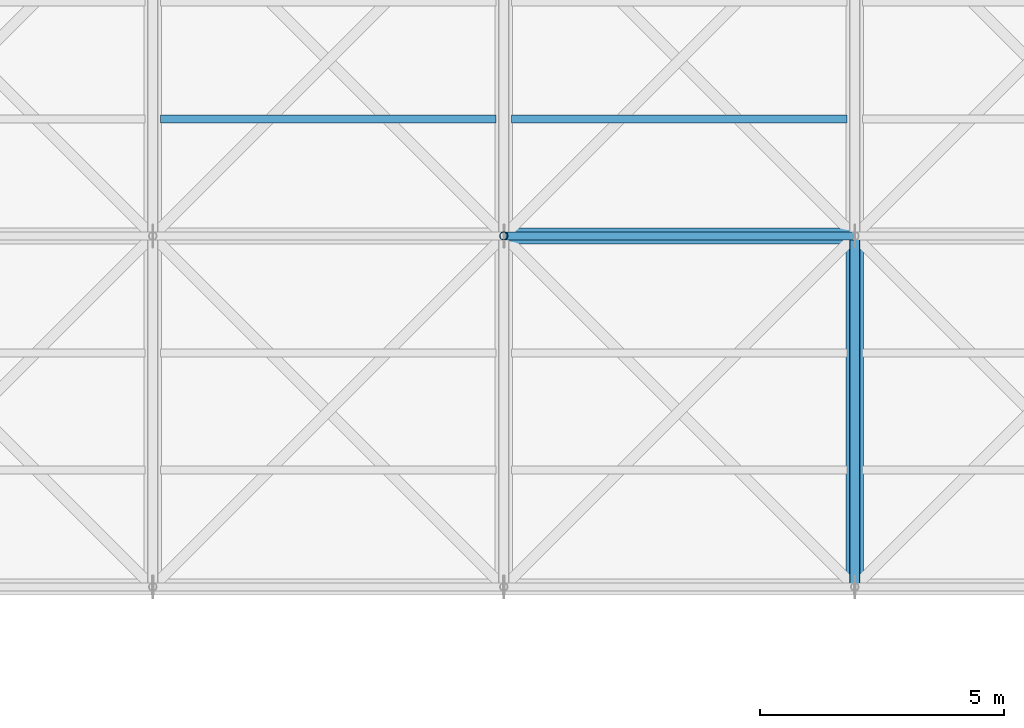
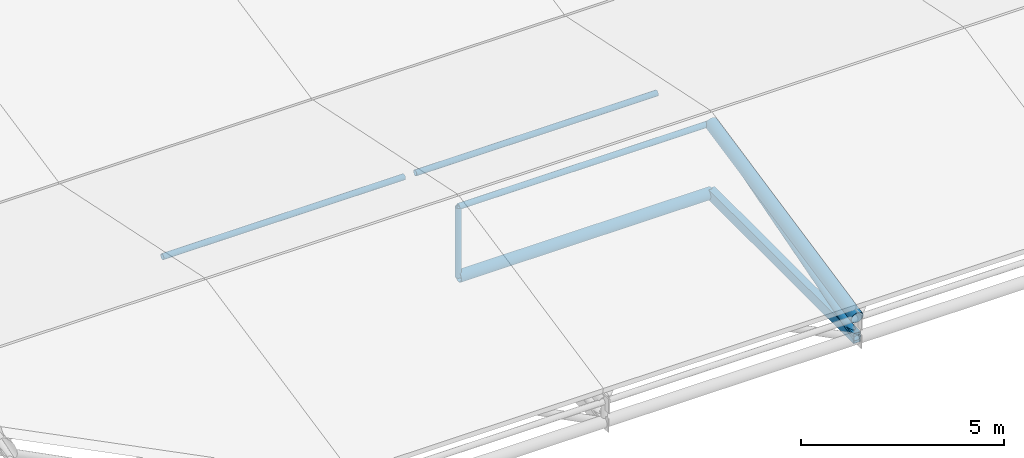
# One storey, part 19 of 72: 6 members, 2 beams.
"""IFC4 building model written with IfcOpenShell, lengths in metres."""

from ifc_helpers import new_model, si_unit, direction, frame, origin, origin_2d, place, context, subcontext, project, spatial, hollow_rectangle, hollow_circle, extrude, material, material_profile, profile_set, type_object, element, save


model = new_model("IFC4")

# Units and contexts
model_context = context("Model", 3, precision=1e-05, world=origin(), true_north=direction((0.0, 1.0)))
body_context = subcontext(model_context, "Body", "Model", "MODEL_VIEW")
ifc_project = project(units=[si_unit("LENGTHUNIT", "METRE"), si_unit("AREAUNIT", "SQUARE_METRE"), si_unit("VOLUMEUNIT", "CUBIC_METRE"), si_unit("PLANEANGLEUNIT", "RADIAN"), si_unit("MASSUNIT", "GRAM", prefix="KILO")], contexts=[model_context])

# Site, building, storey
site_placement = place(None, origin())
site = spatial("IfcSite", under=ifc_project, at=site_placement, CompositionType="ELEMENT")
building_placement = place(site_placement, origin())
building = spatial("IfcBuilding", under=site, at=building_placement, Name="Vaelcorin Mobility Hub", CompositionType="ELEMENT")
storey_placement = place(building_placement, frame((0.0, 0.0, 25.800048828125)))
storey = spatial("IfcBuildingStorey", under=building, at=storey_placement, Name="RF", CompositionType="ELEMENT", Elevation=25.800048828125)

# Members
ifc_material = material(Name="Steel ASTM A500 Grade C", Category="steel")
ifc_material_profile_1 = material_profile(ifc_material, hollow_circle(Radius=0.161865234375, WallThickness=0.0126953125, at=origin_2d()), Name="HSS12.750X0.500")
ifc_profile_set_1 = profile_set([ifc_material_profile_1], Name="Steel ASTM A500 Grade C")
member_type_1 = type_object("IfcMemberType", Name="SF-CHORD-12", PredefinedType="CHORD", material=ifc_profile_set_1)
member_1_placement = place(storey_placement, frame((57.60009765625, 91.199951171875, -2.10009765625), z_axis=(1.0, 0.0, 0.0), x_axis=(0.0, 1.0, 0.0)))
element("IfcMember", 1, at=member_1_placement, inside=storey, type_object=member_type_1, Name="Sports Truss Lower Tie Strut 4-1", PredefinedType="CHORD", context=body_context, shape_type="SweptSolid", body=[
    extrude(hollow_circle(Radius=0.161865234375, WallThickness=0.0126953125, at=origin_2d()), origin(), (0.0, 0.0, 1.0), 7.199951171875),
])
ifc_material_profile_2 = material_profile(ifc_material, hollow_circle(Radius=0.084228515625, WallThickness=0.0078125, at=origin_2d()), Name="HSS6.625X0.312")
ifc_profile_set_2 = profile_set([ifc_material_profile_2], Name="Steel ASTM A500 Grade C")
member_type_2 = type_object("IfcMemberType", Name="SF-PURL-6", PredefinedType="PURLIN", material=ifc_profile_set_2)
member_2_placement = place(storey_placement, frame((50.56005859375, 93.60009765625, -0.5), z_axis=(1.0, 0.0, 0.0), x_axis=(0.0, 1.0, 0.0)))
element("IfcMember", 2, at=member_2_placement, inside=storey, type_object=member_type_2, Name="Sports Roof Secondary Purlin 3-2-1", PredefinedType="PURLIN", context=body_context, shape_type="SweptSolid", body=[
    extrude(hollow_circle(Radius=0.084228515625, WallThickness=0.0078125, at=origin_2d()), origin(), (0.0, 0.0, 1.0), 6.8798828125),
])
member_3_placement = place(storey_placement, frame((57.60009765625, 91.199951171875, 0.0), z_axis=(1.0, 0.0, 0.0), x_axis=(0.0, 1.0, 0.0)))
element("IfcMember", 3, at=member_3_placement, inside=storey, type_object=member_type_2, Name="Sports Pavilion Roof Purlin 4-1", PredefinedType="PURLIN", context=body_context, shape_type="SweptSolid", body=[
    extrude(hollow_circle(Radius=0.084228515625, WallThickness=0.0078125, at=origin_2d()), origin(), (0.0, 0.0, 1.0), 7.199951171875),
])
member_4_placement = place(storey_placement, frame((57.760009765625, 93.60009765625, -0.5), z_axis=(1.0, 0.0, 0.0), x_axis=(0.0, 1.0, 0.0)))
element("IfcMember", 4, at=member_4_placement, inside=storey, type_object=member_type_2, Name="Sports Roof Secondary Purlin 4-2-1", PredefinedType="PURLIN", context=body_context, shape_type="SweptSolid", body=[
    extrude(hollow_circle(Radius=0.084228515625, WallThickness=0.0078125, at=origin_2d()), origin(), (0.0, 0.0, 1.0), 6.8798828125),
])

# Beams
ifc_material_profile_3 = material_profile(ifc_material, hollow_circle(Radius=0.177734375, WallThickness=0.0126953125, at=origin_2d()), Name="HSS14.000X0.500")
ifc_profile_set_3 = profile_set([ifc_material_profile_3], Name="Steel ASTM A500 Grade C")
beam_type_1 = type_object("IfcBeamType", Name="TR-CHORD-14", PredefinedType="BEAM", material=ifc_profile_set_3)
beam_1_placement = place(storey_placement, frame((64.800048828125, 84.0, -1.5), z_axis=(0.0, 0.978980143565, 0.203955579738), x_axis=(-1.0, 0.0, 0.0)))
element("IfcBeam", 5, at=beam_1_placement, inside=storey, type_object=beam_type_1, Name="Sports Pavilion Roof Truss Upper Chord 4-1", PredefinedType="BEAM", context=body_context, shape_type="SweptSolid", body=[
    extrude(hollow_circle(Radius=0.177734375, WallThickness=0.0126953125, at=origin_2d()), origin(), (0.0, 0.0, 1.0), 7.3544921875),
])
ifc_material_profile_4 = material_profile(ifc_material, hollow_rectangle(XDim=0.203125, YDim=0.3046875, WallThickness=0.01171875, at=origin_2d()), Name="HSS12X8X0.500")
ifc_profile_set_4 = profile_set([ifc_material_profile_4], Name="Steel ASTM A500 Grade C")
beam_type_2 = type_object("IfcBeamType", Name="TR-CHORD-RHS12", PredefinedType="BEAM", material=ifc_profile_set_4)
beam_2_placement = place(storey_placement, frame((64.800048828125, 84.0, -2.10009765625), z_axis=(0.0, 1.0, 0.0), x_axis=(-1.0, 0.0, 0.0)))
element("IfcBeam", 6, at=beam_2_placement, inside=storey, type_object=beam_type_2, Name="Sports Pavilion Roof Truss Bottom Chord 4-1", PredefinedType="BEAM", context=body_context, shape_type="SweptSolid", body=[
    extrude(hollow_rectangle(XDim=0.203125, YDim=0.3046875, WallThickness=0.01171875, at=origin_2d()), origin(), (0.0, 0.0, 1.0), 7.199951171875),
])

# Members
ifc_material_profile_5 = material_profile(ifc_material, hollow_circle(Radius=0.084228515625, WallThickness=0.0078125, at=origin_2d()), Name="HSS6.625X0.312")
ifc_profile_set_5 = profile_set([ifc_material_profile_5], Name="Steel ASTM A500 Grade C")
member_type_3 = type_object("IfcMemberType", Name="TR-POST-6", PredefinedType="POST", material=ifc_profile_set_5)
member_5_placement = place(storey_placement, frame((57.60009765625, 91.199951171875, -2.10009765625), z_axis=(0.0, 0.0, 1.0), x_axis=(1.0, 0.0, 0.0)))
element("IfcMember", 7, at=member_5_placement, inside=storey, type_object=member_type_3, Name="Sports Pavilion Roof Truss Post 3-1", PredefinedType="POST", context=body_context, shape_type="SweptSolid", body=[
    extrude(hollow_circle(Radius=0.084228515625, WallThickness=0.0078125, at=origin_2d()), origin(), (0.0, 0.0, 1.0), 2.10009765625),
])
ifc_material_profile_6 = material_profile(ifc_material, hollow_circle(Radius=0.109619140625, WallThickness=0.009521484375, at=origin_2d()), Name="HSS8.625X0.375")
ifc_profile_set_6 = profile_set([ifc_material_profile_6], Name="Steel ASTM A500 Grade C")
member_type_4 = type_object("IfcMemberType", Name="TR-WEB-8", PredefinedType="BRACE", material=ifc_profile_set_6)
member_6_placement = place(storey_placement, frame((64.800048828125, 84.0, -2.10009765625), z_axis=(0.0, 0.959995989474, 0.280013750007), x_axis=(-1.0, 0.0, 0.0)))
element("IfcMember", 8, at=member_6_placement, inside=storey, type_object=member_type_4, Name="Sports Pavilion Roof Truss Diagonal 4-1", PredefinedType="BRACE", context=body_context, shape_type="SweptSolid", body=[
    extrude(hollow_circle(Radius=0.109619140625, WallThickness=0.009521484375, at=origin_2d()), origin(), (0.0, 0.0, 1.0), 7.5),
])

save(model, "model.ifc")
